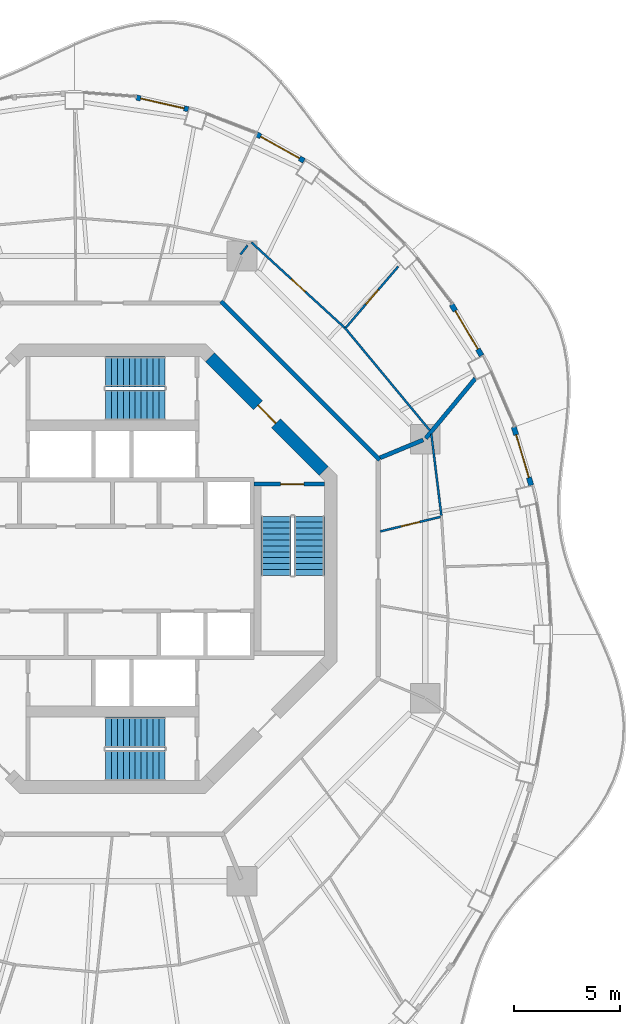
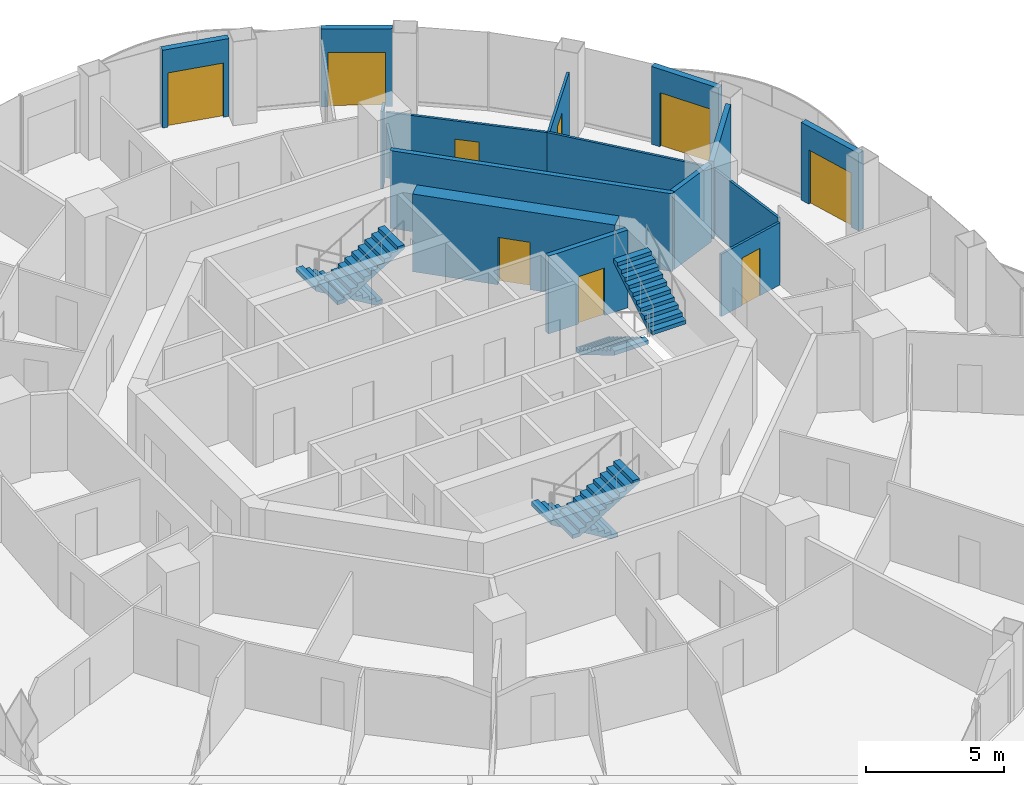
# One storey, part 14 of 17: 15 walls, 9 doors, 6 stair flights, 9 openings, 3 elements without a shape of their own.
"""IFC4 building model written with IfcOpenShell, lengths in metres."""

from ifc_helpers import new_model, si_unit, direction, frame, frame_2d, origin, place, context, subcontext, project, spatial, polyline, rectangle, outline, extrude, material, layer, layer_set, type_object, element, fill, aggregate, save


model = new_model("IFC4")

# Units and contexts
model_context = context("Model", 3, precision=1e-05, world=origin(), true_north=direction((0.0, 1.0)))
body_context = subcontext(model_context, "Body", "Model", "MODEL_VIEW")
ifc_project = project(units=[si_unit("LENGTHUNIT", "METRE"), si_unit("AREAUNIT", "SQUARE_METRE"), si_unit("VOLUMEUNIT", "CUBIC_METRE"), si_unit("PLANEANGLEUNIT", "RADIAN"), si_unit("MASSUNIT", "GRAM", prefix="KILO")], contexts=[model_context])

# Site, building, storey
site_placement = place(None, origin())
site = spatial("IfcSite", under=ifc_project, at=site_placement, CompositionType="ELEMENT")
building_placement = place(site_placement, origin())
building = spatial("IfcBuilding", under=site, at=building_placement, Name="Nagisa Residences", CompositionType="ELEMENT")
storey_placement = place(building_placement, frame((0.0, 0.0, 269.60009765625)))
storey = spatial("IfcBuildingStorey", under=building, at=storey_placement, Name="L68", CompositionType="ELEMENT", Elevation=269.60009765625)

# Walls
ifc_material_1 = material(Name="Gypsum board on steel studs", Category="steel")
ifc_layer_1 = layer(ifc_material_1, 0.199951171875)
ifc_layer_set_1 = layer_set([ifc_layer_1], Name="Apartment compartment wall EI60 200")
wall_type_1 = type_object("IfcWallType", Name="Apartment compartment wall EI60 200", PredefinedType="PARTITIONING", material=ifc_layer_set_1)
wall_1_placement = place(storey_placement, frame((12.6572265625, 5.24267578125, 0.0), z_axis=(0.0, 0.0, 1.0), x_axis=(0.923853160736, 0.382747093259, 0.0)))
element("IfcWall", 1, at=wall_1_placement, inside=storey, type_object=wall_type_1, Name="wall:L68:u00", PredefinedType="PARTITIONING", context=body_context, shape_type="SweptSolid", body=[
    extrude(rectangle(XDim=2.199951171875, YDim=0.199951171875, at=frame_2d((1.10009765625, 0.0))), origin(), (0.0, 0.0, 1.0), 3.43994140625),
])
wall_2_placement = place(storey_placement, frame((14.81396484375, 6.161376953125, 0.0), z_axis=(0.0, 0.0, 1.0), x_axis=(0.638050520313, 0.769994502272, 0.0)))
element("IfcWall", 2, at=wall_2_placement, inside=storey, type_object=wall_type_1, Name="wall:L68:u01", PredefinedType="PARTITIONING", context=body_context, shape_type="SweptSolid", body=[
    extrude(rectangle(XDim=3.6728515625, YDim=0.199951171875, at=frame_2d((1.83642578125, 0.0))), origin(), (0.0, 0.0, 1.0), 3.43994140625),
])
ifc_material_2 = material(Name="Gypsum board on steel studs", Category="steel")
ifc_layer_2 = layer(ifc_material_2, 0.199951171875)
ifc_layer_set_2 = layer_set([ifc_layer_2], Name="Apartment entry wall EI60 200")
wall_type_2 = type_object("IfcWallType", Name="Apartment entry wall EI60 200", PredefinedType="PARTITIONING", material=ifc_layer_set_2)
wall_3_placement = place(storey_placement, frame((12.635498046875, 5.1337890625, 0.0), z_axis=(0.0, 0.0, 1.0), x_axis=(-0.707106781187, 0.707106781187, 0.0)))
element("IfcWall", 3, at=wall_3_placement, inside=storey, type_object=wall_type_2, Name="wall:L68:u11", PredefinedType="PARTITIONING", context=body_context, shape_type="SweptSolid", body=[
    extrude(rectangle(XDim=10.609130859375, YDim=0.199951171875, at=frame_2d((5.3046875, 0.0))), origin(), (0.0, 0.0, 1.0), 3.43994140625),
])

# Wall, opening, door
ifc_material_3 = material(Name="Gypsum board on steel studs", Category="steel")
ifc_layer_3 = layer(ifc_material_3, 0.10009765625)
ifc_layer_set_3 = layer_set([ifc_layer_3], Name="Apartment partition 100")
wall_type_3 = type_object("IfcWallType", Name="Apartment partition 100", PredefinedType="PARTITIONING", material=ifc_layer_set_3)
wall_4_placement = place(storey_placement, frame((12.661865234375, 1.75830078125, 0.0), z_axis=(0.0, 0.0, 1.0), x_axis=(0.972004827836, 0.234960879007, 0.0)))
wall_4 = element("IfcWall", 4, at=wall_4_placement, inside=storey, type_object=wall_type_3, Name="wall:L68:u22", PredefinedType="PARTITIONING", context=body_context, shape_type="SweptSolid", body=[
    extrude(rectangle(XDim=2.93017578125, YDim=0.10009765625, at=frame_2d((1.465087890625, 0.0))), origin(), (0.0, 0.0, 1.0), 2.761962890625),
])
opening_1_placement = place(wall_4_placement, frame((1.014892578125, 0.0, 0.0)))
opening_1 = element("IfcOpeningElement", 5, at=opening_1_placement, cuts=wall_4, Name="Opening L68-U33", PredefinedType="OPENING", context=body_context, shape_type="SweptSolid", body=[
    extrude(rectangle(XDim=0.89990234375, YDim=2.10009765625, at=frame_2d((0.449951171875, 1.050048828125))), frame((0.0, 0.06005859375, 0.0), z_axis=(0.0, -1.0, 0.0), x_axis=(1.0, 0.0, 0.0)), (0.0, 0.0, 1.0), 0.1201171875),
])
ifc_material_4 = material(Name="Timber door set", Category="wood")
door_type_1 = type_object("IfcDoorType", Name="Apartment door 900x2100", OperationType="NOTDEFINED", PredefinedType="DOOR", material=ifc_material_4)
door_1_placement = place(opening_1_placement, origin())
door_1 = element("IfcDoor", 6, at=door_1_placement, inside=storey, type_object=door_type_1, Name="Door to laundry, Apartment 68E", OperationType="SINGLE_SWING_LEFT", OverallHeight=2.10009765625, OverallWidth=0.89990234375, PredefinedType="DOOR", context=body_context, shape_type="SweptSolid", body=[
    extrude(rectangle(XDim=0.89990234375, YDim=2.10009765625, at=frame_2d((0.449951171875, 1.050048828125))), frame((0.0, 0.02490234375, 0.0), z_axis=(0.0, -1.0, 0.0), x_axis=(1.0, 0.0, 0.0)), (0.0, 0.0, 1.0), 0.050048828125),
])
fill(opening_1, door_1)

# Walls
wall_5_placement = place(storey_placement, frame((15.552490234375, 2.50830078125, 0.0), z_axis=(0.0, 0.0, 1.0), x_axis=(-0.12196293976, 0.992534654974, 0.0)))
element("IfcWall", 7, at=wall_5_placement, inside=storey, type_object=wall_type_3, Name="wall:L68:u23", PredefinedType="PARTITIONING", context=body_context, shape_type="SweptSolid", body=[
    extrude(rectangle(XDim=3.887451171875, YDim=0.10009765625, at=frame_2d((1.94384765625, 0.0))), origin(), (0.0, 0.0, 1.0), 2.90478515625),
])
wall_6_placement = place(storey_placement, frame((15.00244140625, 6.54296875, 0.0), z_axis=(0.0, 0.0, 1.0), x_axis=(-0.637932656528, 0.770092154054, 0.0)))
element("IfcWall", 8, at=wall_6_placement, inside=storey, type_object=wall_type_3, Name="wall:L68:u24", PredefinedType="PARTITIONING", context=body_context, shape_type="SweptSolid", body=[
    extrude(rectangle(XDim=6.310546875, YDim=0.10009765625, at=frame_2d((3.1552734375, 0.0))), origin(), (0.0, 0.0, 1.0), 2.90478515625),
])

# Wall, opening, door
wall_7_placement = place(storey_placement, frame((11.041259765625, 11.402099609375, 0.0), z_axis=(0.0, 0.0, 1.0), x_axis=(0.650558544325, 0.759456108282, 0.0)))
wall_7 = element("IfcWall", 9, at=wall_7_placement, inside=storey, type_object=wall_type_3, Name="wall:L68:u25", PredefinedType="PARTITIONING", context=body_context, shape_type="SweptSolid", body=[
    extrude(rectangle(XDim=3.800048828125, YDim=0.10009765625, at=frame_2d((1.89990234375, 0.0))), origin(), (0.0, 0.0, 1.0), 2.90478515625),
])
opening_2_placement = place(wall_7_placement, frame((1.4501953125, 0.0, 0.0)))
opening_2 = element("IfcOpeningElement", 10, at=opening_2_placement, cuts=wall_7, Name="Opening L68-U08", PredefinedType="OPENING", context=body_context, shape_type="SweptSolid", body=[
    extrude(rectangle(XDim=0.89990234375, YDim=2.10009765625, at=frame_2d((0.449951171875, 1.050048828125))), frame((0.0, 0.06005859375, 0.0), z_axis=(0.0, -1.0, 0.0), x_axis=(1.0, 0.0, 0.0)), (0.0, 0.0, 1.0), 0.1201171875),
])
door_2_placement = place(opening_2_placement, frame((0.89990234375, 0.0, 0.0), x_axis=(-1.0, 0.0, 0.0)))
door_2 = element("IfcDoor", 11, at=door_2_placement, inside=storey, type_object=door_type_1, Name="Door to bedroom, Apartment 68A", OperationType="SINGLE_SWING_LEFT", OverallHeight=2.10009765625, OverallWidth=0.89990234375, PredefinedType="DOOR", context=body_context, shape_type="SweptSolid", body=[
    extrude(rectangle(XDim=0.89990234375, YDim=2.10009765625, at=frame_2d((0.449951171875, 1.050048828125))), frame((0.0, 0.02490234375, 0.0), z_axis=(0.0, -1.0, 0.0), x_axis=(1.0, 0.0, 0.0)), (0.0, 0.0, 1.0), 0.050048828125),
])
fill(opening_2, door_2)

wall_8_placement = place(storey_placement, frame((10.9716796875, 11.397705078125, 0.0), z_axis=(0.0, 0.0, 1.0), x_axis=(-0.737838738013, 0.674977034193, 0.0)))
wall_8 = element("IfcWall", 12, at=wall_8_placement, inside=storey, type_object=wall_type_3, Name="wall:L68:u26", PredefinedType="PARTITIONING", context=body_context, shape_type="SweptSolid", body=[
    extrude(rectangle(XDim=5.97705078125, YDim=0.10009765625, at=frame_2d((2.988525390625, 0.0))), origin(), (0.0, 0.0, 1.0), 2.90478515625),
])
opening_3_placement = place(wall_8_placement, frame((2.513671875, 0.0, 0.0)))
opening_3 = element("IfcOpeningElement", 13, at=opening_3_placement, cuts=wall_8, Name="Opening L68-U07", PredefinedType="OPENING", context=body_context, shape_type="SweptSolid", body=[
    extrude(rectangle(XDim=0.89990234375, YDim=2.10009765625, at=frame_2d((0.449951171875, 1.050048828125))), frame((0.0, 0.06005859375, 0.0), z_axis=(0.0, -1.0, 0.0), x_axis=(1.0, 0.0, 0.0)), (0.0, 0.0, 1.0), 0.1201171875),
])
door_3_placement = place(opening_3_placement, origin())
door_3 = element("IfcDoor", 14, at=door_3_placement, inside=storey, type_object=door_type_1, Name="Door to store, Apartment 68A", OperationType="SINGLE_SWING_LEFT", OverallHeight=2.10009765625, OverallWidth=0.89990234375, PredefinedType="DOOR", context=body_context, shape_type="SweptSolid", body=[
    extrude(rectangle(XDim=0.89990234375, YDim=2.10009765625, at=frame_2d((0.449951171875, 1.050048828125))), frame((0.0, 0.02490234375, 0.0), z_axis=(0.0, -1.0, 0.0), x_axis=(1.0, 0.0, 0.0)), (0.0, 0.0, 1.0), 0.050048828125),
])
fill(opening_3, door_3)

# Wall
wall_9_placement = place(storey_placement, frame((6.38818359375, 15.289794921875, 0.0), z_axis=(0.0, 0.0, 1.0), x_axis=(-0.610612392422, -0.791929609385, 0.0)))
element("IfcWall", 15, at=wall_9_placement, inside=storey, type_object=wall_type_3, Name="wall:L68:u67", PredefinedType="PARTITIONING", context=body_context, shape_type="SweptSolid", body=[
    extrude(rectangle(XDim=0.54931640625, YDim=0.10009765625, at=frame_2d((0.274658203125, 0.0))), origin(), (0.0, 0.0, 1.0), 3.43994140625),
])

# Wall, opening, door
ifc_material_5 = material(Name="Precast concrete C40/50", Category="concrete")
ifc_layer_4 = layer(ifc_material_5, 0.25)
ifc_layer_set_4 = layer_set([ifc_layer_4], Name="BALCONY DOOR WALL 250")
wall_type_4 = type_object("IfcWallType", Name="BALCONY DOOR WALL 250", PredefinedType="SOLIDWALL", material=ifc_layer_set_4)
wall_10_placement = place(storey_placement, frame((18.978271484375, 6.69677734375, 0.0), z_axis=(0.0, 0.0, 1.0), x_axis=(0.285876209024, -0.9582665564, 0.0)))
wall_10 = element("IfcWall", 16, at=wall_10_placement, inside=storey, type_object=wall_type_4, Name="wall:L68:bay02", PredefinedType="SOLIDWALL", context=body_context, shape_type="SweptSolid", body=[
    extrude(rectangle(XDim=2.877197265625, YDim=0.25, at=frame_2d((1.4384765625, 0.0))), origin(), (0.0, 0.0, 1.0), 3.43994140625),
])
opening_4_placement = place(wall_10_placement, frame((0.388671875, 0.0, 0.0)))
opening_4 = element("IfcOpeningElement", 17, at=opening_4_placement, cuts=wall_10, Name="Opening BD-L68-01", PredefinedType="OPENING", context=body_context, shape_type="SweptSolid", body=[
    extrude(rectangle(XDim=2.10009765625, YDim=2.39990234375, at=frame_2d((1.050048828125, 1.199951171875))), frame((0.0, 0.135009765625, 0.0), z_axis=(0.0, -1.0, 0.0), x_axis=(1.0, 0.0, 0.0)), (0.0, 0.0, 1.0), 0.27001953125),
])
ifc_material_6 = material(Name="Aluminium and clear glass", Category="aluminium")
door_type_2 = type_object("IfcDoorType", Name="BALCONY SLIDING DOOR 2100x2400", OperationType="SLIDING_TO_LEFT", PredefinedType="DOOR", material=ifc_material_6)
door_4_placement = place(opening_4_placement, origin())
door_4 = element("IfcDoor", 18, at=door_4_placement, inside=storey, type_object=door_type_2, Name="door:L68:bay02", OperationType="SLIDING_TO_LEFT", OverallHeight=2.39990234375, OverallWidth=2.10009765625, PredefinedType="DOOR", context=body_context, shape_type="SweptSolid", body=[
    extrude(rectangle(XDim=2.10009765625, YDim=2.39990234375, at=frame_2d((1.050048828125, 1.199951171875))), frame((0.0, 0.02490234375, 0.0), z_axis=(0.0, -1.0, 0.0), x_axis=(1.0, 0.0, 0.0)), (0.0, 0.0, 1.0), 0.050048828125),
])
fill(opening_4, door_4)

wall_11_placement = place(storey_placement, frame((16.037841796875, 12.488525390625, 0.0), z_axis=(0.0, 0.0, 1.0), x_axis=(0.506371364425, -0.862315511452, 0.0)))
wall_11 = element("IfcWall", 19, at=wall_11_placement, inside=storey, type_object=wall_type_4, Name="wall:L68:bay04", PredefinedType="SOLIDWALL", context=body_context, shape_type="SweptSolid", body=[
    extrude(rectangle(XDim=2.79638671875, YDim=0.25, at=frame_2d((1.398193359375, 0.0))), origin(), (0.0, 0.0, 1.0), 3.43994140625),
])
opening_5_placement = place(wall_11_placement, frame((0.34814453125, 0.0, 0.0)))
opening_5 = element("IfcOpeningElement", 20, at=opening_5_placement, cuts=wall_11, Name="Opening BD-L68-02", PredefinedType="OPENING", context=body_context, shape_type="SweptSolid", body=[
    extrude(rectangle(XDim=2.10009765625, YDim=2.39990234375, at=frame_2d((1.050048828125, 1.199951171875))), frame((0.0, 0.135009765625, 0.0), z_axis=(0.0, -1.0, 0.0), x_axis=(1.0, 0.0, 0.0)), (0.0, 0.0, 1.0), 0.27001953125),
])
door_5_placement = place(opening_5_placement, origin())
door_5 = element("IfcDoor", 21, at=door_5_placement, inside=storey, type_object=door_type_2, Name="door:L68:bay04", OperationType="SLIDING_TO_LEFT", OverallHeight=2.39990234375, OverallWidth=2.10009765625, PredefinedType="DOOR", context=body_context, shape_type="SweptSolid", body=[
    extrude(rectangle(XDim=2.10009765625, YDim=2.39990234375, at=frame_2d((1.050048828125, 1.199951171875))), frame((0.0, 0.02490234375, 0.0), z_axis=(0.0, -1.0, 0.0), x_axis=(1.0, 0.0, 0.0)), (0.0, 0.0, 1.0), 0.050048828125),
])
fill(opening_5, door_5)

wall_12_placement = place(storey_placement, frame((6.795166015625, 20.553955078125, 0.0), z_axis=(0.0, 0.0, 1.0), x_axis=(0.872052877201, -0.489411666561, 0.0)))
wall_12 = element("IfcWall", 22, at=wall_12_placement, inside=storey, type_object=wall_type_4, Name="wall:L68:bay08", PredefinedType="SOLIDWALL", context=body_context, shape_type="SweptSolid", body=[
    extrude(rectangle(XDim=2.593017578125, YDim=0.25, at=frame_2d((1.29638671875, 0.0))), origin(), (0.0, 0.0, 1.0), 3.43994140625),
])
opening_6_placement = place(wall_12_placement, frame((0.24658203125, 0.0, 0.0)))
opening_6 = element("IfcOpeningElement", 23, at=opening_6_placement, cuts=wall_12, Name="Opening BD-L68-03", PredefinedType="OPENING", context=body_context, shape_type="SweptSolid", body=[
    extrude(rectangle(XDim=2.10009765625, YDim=2.39990234375, at=frame_2d((1.050048828125, 1.199951171875))), frame((0.0, 0.135009765625, 0.0), z_axis=(0.0, -1.0, 0.0), x_axis=(1.0, 0.0, 0.0)), (0.0, 0.0, 1.0), 0.27001953125),
])
door_6_placement = place(opening_6_placement, origin())
door_6 = element("IfcDoor", 24, at=door_6_placement, inside=storey, type_object=door_type_2, Name="door:L68:bay08", OperationType="SLIDING_TO_LEFT", OverallHeight=2.39990234375, OverallWidth=2.10009765625, PredefinedType="DOOR", context=body_context, shape_type="SweptSolid", body=[
    extrude(rectangle(XDim=2.10009765625, YDim=2.39990234375, at=frame_2d((1.050048828125, 1.199951171875))), frame((0.0, 0.02490234375, 0.0), z_axis=(0.0, -1.0, 0.0), x_axis=(1.0, 0.0, 0.0)), (0.0, 0.0, 1.0), 0.050048828125),
])
fill(opening_6, door_6)

wall_13_placement = place(storey_placement, frame((1.125, 22.2802734375, 0.0), z_axis=(0.0, 0.0, 1.0), x_axis=(0.97531487046, -0.22081871175, 0.0)))
wall_13 = element("IfcWall", 25, at=wall_13_placement, inside=storey, type_object=wall_type_4, Name="wall:L68:bay10", PredefinedType="SOLIDWALL", context=body_context, shape_type="SweptSolid", body=[
    extrude(rectangle(XDim=2.525146484375, YDim=0.25, at=frame_2d((1.2626953125, 0.0))), origin(), (0.0, 0.0, 1.0), 3.43994140625),
])
opening_7_placement = place(wall_13_placement, frame((0.212646484375, 0.0, 0.0)))
opening_7 = element("IfcOpeningElement", 26, at=opening_7_placement, cuts=wall_13, Name="Opening BD-L68-04", PredefinedType="OPENING", context=body_context, shape_type="SweptSolid", body=[
    extrude(rectangle(XDim=2.10009765625, YDim=2.39990234375, at=frame_2d((1.050048828125, 1.199951171875))), frame((0.0, 0.135009765625, 0.0), z_axis=(0.0, -1.0, 0.0), x_axis=(1.0, 0.0, 0.0)), (0.0, 0.0, 1.0), 0.27001953125),
])
door_7_placement = place(opening_7_placement, origin())
door_7 = element("IfcDoor", 27, at=door_7_placement, inside=storey, type_object=door_type_2, Name="door:L68:bay10", OperationType="SLIDING_TO_LEFT", OverallHeight=2.39990234375, OverallWidth=2.10009765625, PredefinedType="DOOR", context=body_context, shape_type="SweptSolid", body=[
    extrude(rectangle(XDim=2.10009765625, YDim=2.39990234375, at=frame_2d((1.050048828125, 1.199951171875))), frame((0.0, 0.02490234375, 0.0), z_axis=(0.0, -1.0, 0.0), x_axis=(1.0, 0.0, 0.0)), (0.0, 0.0, 1.0), 0.050048828125),
])
fill(opening_7, door_7)

ifc_material_7 = material(Name="Concrete C60", Category="concrete")
ifc_layer_5 = layer(ifc_material_7, 0.60009765625)
ifc_layer_set_5 = layer_set([ifc_layer_5], Name="Core shear wall 600")
wall_type_5 = type_object("IfcWallType", Name="Core shear wall 600", PredefinedType="SHEAR", material=ifc_layer_set_5)
wall_14_placement = place(storey_placement, frame((9.98828125, 4.613037109375, 0.0), z_axis=(0.0, 0.0, 1.0), x_axis=(-0.707106781187, 0.707106781187, 0.0)))
wall_14 = element("IfcWall", 28, at=wall_14_placement, inside=storey, type_object=wall_type_5, Name="wall:L68:core:flat1", PredefinedType="SHEAR", context=body_context, shape_type="SweptSolid", body=[
    extrude(rectangle(XDim=7.601806640625, YDim=0.60009765625, at=frame_2d((3.80078125, 0.0))), origin(), (0.0, 0.0, 1.0), 3.43994140625),
])
opening_8_placement = place(wall_14_placement, frame((3.200927734375, 0.0, 0.0)))
opening_8 = element("IfcOpeningElement", 29, at=opening_8_placement, cuts=wall_14, Name="Opening L68-C21", PredefinedType="OPENING", context=body_context, shape_type="SweptSolid", body=[
    extrude(rectangle(XDim=1.199951171875, YDim=2.10009765625, at=frame_2d((0.60009765625, 1.050048828125))), frame((0.0, 0.31005859375, 0.0), z_axis=(0.0, -1.0, 0.0), x_axis=(1.0, 0.0, 0.0)), (0.0, 0.0, 1.0), 0.6201171875),
])
ifc_material_8 = material(Name="Steel fire door", Category="steel")
door_type_3 = type_object("IfcDoorType", Name="Fire door EI60 1200x2100 single swing", OperationType="NOTDEFINED", PredefinedType="DOOR", material=ifc_material_8)
door_8_placement = place(opening_8_placement, origin())
door_8 = element("IfcDoor", 30, at=door_8_placement, inside=storey, type_object=door_type_3, Name="Firefighting lobby 1 door L68", OperationType="SINGLE_SWING_RIGHT", OverallHeight=2.10009765625, OverallWidth=1.199951171875, PredefinedType="DOOR", context=body_context, shape_type="SweptSolid", body=[
    extrude(rectangle(XDim=1.199951171875, YDim=2.10009765625, at=frame_2d((0.60009765625, 1.050048828125))), frame((0.0, 0.02490234375, 0.0), z_axis=(0.0, -1.0, 0.0), x_axis=(1.0, 0.0, 0.0)), (0.0, 0.0, 1.0), 0.050048828125),
])
fill(opening_8, door_8)

ifc_material_9 = material(Name="Concrete C60", Category="concrete")
ifc_layer_6 = layer(ifc_material_9, 0.199951171875)
ifc_layer_set_6 = layer_set([ifc_layer_6], Name="Stair enclosure wall 200")
wall_type_6 = type_object("IfcWallType", Name="Stair enclosure wall 200", PredefinedType="SOLIDWALL", material=ifc_layer_set_6)
wall_15_placement = place(storey_placement, frame((6.699951171875, 4.0, 0.0), z_axis=(0.0, 0.0, 1.0), x_axis=(1.0, 0.0, 0.0)))
wall_15 = element("IfcWall", 31, at=wall_15_placement, inside=storey, type_object=wall_type_6, Name="wall:L68:SE_n", PredefinedType="SOLIDWALL", context=body_context, shape_type="SweptSolid", body=[
    extrude(rectangle(XDim=3.32470703125, YDim=0.199951171875, at=frame_2d((1.662353515625, 0.0))), origin(), (0.0, 0.0, 1.0), 3.43994140625),
])
opening_9_placement = place(wall_15_placement, frame((1.25, 0.0, 0.0)))
opening_9 = element("IfcOpeningElement", 32, at=opening_9_placement, cuts=wall_15, Name="Opening L68-C07", PredefinedType="OPENING", context=body_context, shape_type="SweptSolid", body=[
    extrude(rectangle(XDim=1.10009765625, YDim=2.10009765625, at=frame_2d((0.550048828125, 1.050048828125))), frame((0.0, 0.10986328125, 0.0), z_axis=(0.0, -1.0, 0.0), x_axis=(1.0, 0.0, 0.0)), (0.0, 0.0, 1.0), 0.219970703125),
])
ifc_material_10 = material(Name="Steel fire door", Category="steel")
door_type_4 = type_object("IfcDoorType", Name="Fire door EI90 1100x2100 single swing", OperationType="NOTDEFINED", PredefinedType="DOOR", material=ifc_material_10)
door_9_placement = place(opening_9_placement, frame((1.10009765625, 0.0, 0.0), x_axis=(-1.0, 0.0, 0.0)))
door_9 = element("IfcDoor", 33, at=door_9_placement, inside=storey, type_object=door_type_4, Name="Stair door ST-E L68", OperationType="SINGLE_SWING_LEFT", OverallHeight=2.10009765625, OverallWidth=1.10009765625, PredefinedType="DOOR", context=body_context, shape_type="SweptSolid", body=[
    extrude(rectangle(XDim=1.10009765625, YDim=2.10009765625, at=frame_2d((0.550048828125, 1.050048828125))), frame((0.0, 0.02490234375, 0.0), z_axis=(0.0, -1.0, 0.0), x_axis=(1.0, 0.0, 0.0)), (0.0, 0.0, 1.0), 0.050048828125),
])
fill(opening_9, door_9)

# Stair, stair flights
ifc_material_11 = material(Name="Concrete C60", Category="concrete")
stair_type = type_object("IfcStairType", Name="Exit stair", PredefinedType="HALF_TURN_STAIR", material=ifc_material_11)
stair_1_placement = place(storey_placement, origin())
stair_1 = element("IfcStair", 34, at=stair_1_placement, inside=storey, type_object=stair_type, Name="L68 Exit stair E", PredefinedType="HALF_TURN_STAIR")
ifc_material_12 = material(Name="Concrete C60", Category="concrete")
stair_flight_type = type_object("IfcStairFlightType", Name="Exit stair flight", PredefinedType="STRAIGHT", material=ifc_material_12)
stair_flight_1_placement = place(storey_placement, frame((7.737060546875, 2.47509765625, 0.0), z_axis=(0.0, 0.0, 1.0), x_axis=(0.0, -1.0, 0.0)))
stair_flight_1 = element("IfcStairFlight", 35, at=stair_flight_1_placement, type_object=stair_flight_type, Name="ST-E flight 1", NumberOfRisers=11, NumberOfTreads=10, PredefinedType="STRAIGHT", RiserHeight=0.168181818, TreadLength=0.28, context=body_context, shape_type="SweptSolid", body=[
    extrude(outline(polyline([(0.0, 0.0), (0.0, 0.168212890625), (0.280029296875, 0.168212890625), (0.280029296875, 0.33642578125), (0.56005859375, 0.33642578125), (0.56005859375, 0.504638671875), (0.840087890625, 0.504638671875), (0.840087890625, 0.672607421875), (1.1201171875, 0.672607421875), (1.1201171875, 0.8408203125), (1.39990234375, 0.8408203125), (1.39990234375, 1.009033203125), (1.679931640625, 1.009033203125), (1.679931640625, 1.17724609375), (1.9599609375, 1.17724609375), (1.9599609375, 1.345458984375), (2.239990234375, 1.345458984375), (2.239990234375, 1.513671875), (2.52001953125, 1.513671875), (2.52001953125, 1.681884765625), (2.800048828125, 1.681884765625), (2.800048828125, 1.85009765625), (2.800048828125, 1.5068359375), (0.291015625, 0.0), (0.0, 0.0)])), frame((0.0, 0.71240234375, 0.0), z_axis=(0.0, -1.0, 0.0), x_axis=(1.0, 0.0, 0.0)), (0.0, 0.0, 1.0), 1.425048828125),
])
stair_flight_2_placement = place(storey_placement, frame((9.31201171875, -0.324951171875, 1.849853515625), z_axis=(0.0, 0.0, 1.0), x_axis=(0.0, 1.0, 0.0)))
stair_flight_2 = element("IfcStairFlight", 36, at=stair_flight_2_placement, type_object=stair_flight_type, Name="ST-E flight 2", NumberOfRisers=11, NumberOfTreads=10, PredefinedType="STRAIGHT", RiserHeight=0.168181818, TreadLength=0.28, context=body_context, shape_type="SweptSolid", body=[
    extrude(outline(polyline([(0.0, 0.0), (0.0, 0.168212890625), (0.280029296875, 0.168212890625), (0.280029296875, 0.33642578125), (0.56005859375, 0.33642578125), (0.56005859375, 0.504638671875), (0.840087890625, 0.504638671875), (0.840087890625, 0.672607421875), (1.1201171875, 0.672607421875), (1.1201171875, 0.8408203125), (1.39990234375, 0.8408203125), (1.39990234375, 1.009033203125), (1.679931640625, 1.009033203125), (1.679931640625, 1.17724609375), (1.9599609375, 1.17724609375), (1.9599609375, 1.345458984375), (2.239990234375, 1.345458984375), (2.239990234375, 1.513671875), (2.52001953125, 1.513671875), (2.52001953125, 1.681884765625), (2.800048828125, 1.681884765625), (2.800048828125, 1.85009765625), (2.800048828125, 1.5068359375), (0.291015625, 0.0), (0.0, 0.0)])), frame((0.0, 0.71240234375, 0.0), z_axis=(0.0, -1.0, 0.0), x_axis=(1.0, 0.0, 0.0)), (0.0, 0.0, 1.0), 1.425048828125),
])
aggregate(stair_1, [stair_flight_1, stair_flight_2])

stair_2_placement = place(storey_placement, origin())
stair_2 = element("IfcStair", 37, at=stair_2_placement, inside=storey, type_object=stair_type, Name="L68 Exit stair N", PredefinedType="HALF_TURN_STAIR")
stair_flight_3_placement = place(storey_placement, frame((2.47509765625, 9.31201171875, 0.0), z_axis=(0.0, 0.0, 1.0), x_axis=(-1.0, 0.0, 0.0)))
stair_flight_3 = element("IfcStairFlight", 38, at=stair_flight_3_placement, type_object=stair_flight_type, Name="ST-N flight 1", NumberOfRisers=11, NumberOfTreads=10, PredefinedType="STRAIGHT", RiserHeight=0.168181818, TreadLength=0.28, context=body_context, shape_type="SweptSolid", body=[
    extrude(outline(polyline([(0.0, 0.0), (0.0, 0.168212890625), (0.280029296875, 0.168212890625), (0.280029296875, 0.33642578125), (0.56005859375, 0.33642578125), (0.56005859375, 0.504638671875), (0.840087890625, 0.504638671875), (0.840087890625, 0.672607421875), (1.1201171875, 0.672607421875), (1.1201171875, 0.8408203125), (1.39990234375, 0.8408203125), (1.39990234375, 1.009033203125), (1.679931640625, 1.009033203125), (1.679931640625, 1.17724609375), (1.9599609375, 1.17724609375), (1.9599609375, 1.345458984375), (2.239990234375, 1.345458984375), (2.239990234375, 1.513671875), (2.52001953125, 1.513671875), (2.52001953125, 1.681884765625), (2.800048828125, 1.681884765625), (2.800048828125, 1.85009765625), (2.800048828125, 1.5068359375), (0.291015625, 0.0), (0.0, 0.0)])), frame((0.0, 0.71240234375, 0.0), z_axis=(0.0, -1.0, 0.0), x_axis=(1.0, 0.0, 0.0)), (0.0, 0.0, 1.0), 1.425048828125),
])
stair_flight_4_placement = place(storey_placement, frame((-0.324951171875, 7.737060546875, 1.849853515625), z_axis=(0.0, 0.0, 1.0), x_axis=(1.0, 0.0, 0.0)))
stair_flight_4 = element("IfcStairFlight", 39, at=stair_flight_4_placement, type_object=stair_flight_type, Name="ST-N flight 2", NumberOfRisers=11, NumberOfTreads=10, PredefinedType="STRAIGHT", RiserHeight=0.168181818, TreadLength=0.28, context=body_context, shape_type="SweptSolid", body=[
    extrude(outline(polyline([(0.0, 0.0), (0.0, 0.168212890625), (0.280029296875, 0.168212890625), (0.280029296875, 0.33642578125), (0.56005859375, 0.33642578125), (0.56005859375, 0.504638671875), (0.840087890625, 0.504638671875), (0.840087890625, 0.672607421875), (1.1201171875, 0.672607421875), (1.1201171875, 0.8408203125), (1.39990234375, 0.8408203125), (1.39990234375, 1.009033203125), (1.679931640625, 1.009033203125), (1.679931640625, 1.17724609375), (1.9599609375, 1.17724609375), (1.9599609375, 1.345458984375), (2.239990234375, 1.345458984375), (2.239990234375, 1.513671875), (2.52001953125, 1.513671875), (2.52001953125, 1.681884765625), (2.800048828125, 1.681884765625), (2.800048828125, 1.85009765625), (2.800048828125, 1.5068359375), (0.291015625, 0.0), (0.0, 0.0)])), frame((0.0, 0.71240234375, 0.0), z_axis=(0.0, -1.0, 0.0), x_axis=(1.0, 0.0, 0.0)), (0.0, 0.0, 1.0), 1.425048828125),
])
aggregate(stair_2, [stair_flight_3, stair_flight_4])

stair_3_placement = place(storey_placement, origin())
stair_3 = element("IfcStair", 40, at=stair_3_placement, inside=storey, type_object=stair_type, Name="L68 Exit stair S", PredefinedType="HALF_TURN_STAIR")
stair_flight_5_placement = place(storey_placement, frame((2.47509765625, -7.737060546875, 0.0), z_axis=(0.0, 0.0, 1.0), x_axis=(-1.0, 0.0, 0.0)))
stair_flight_5 = element("IfcStairFlight", 41, at=stair_flight_5_placement, type_object=stair_flight_type, Name="ST-S flight 1", NumberOfRisers=11, NumberOfTreads=10, PredefinedType="STRAIGHT", RiserHeight=0.168181818, TreadLength=0.28, context=body_context, shape_type="SweptSolid", body=[
    extrude(outline(polyline([(0.0, 0.0), (0.0, 0.168212890625), (0.280029296875, 0.168212890625), (0.280029296875, 0.33642578125), (0.56005859375, 0.33642578125), (0.56005859375, 0.504638671875), (0.840087890625, 0.504638671875), (0.840087890625, 0.672607421875), (1.1201171875, 0.672607421875), (1.1201171875, 0.8408203125), (1.39990234375, 0.8408203125), (1.39990234375, 1.009033203125), (1.679931640625, 1.009033203125), (1.679931640625, 1.17724609375), (1.9599609375, 1.17724609375), (1.9599609375, 1.345458984375), (2.239990234375, 1.345458984375), (2.239990234375, 1.513671875), (2.52001953125, 1.513671875), (2.52001953125, 1.681884765625), (2.800048828125, 1.681884765625), (2.800048828125, 1.85009765625), (2.800048828125, 1.5068359375), (0.291015625, 0.0), (0.0, 0.0)])), frame((0.0, 0.71240234375, 0.0), z_axis=(0.0, -1.0, 0.0), x_axis=(1.0, 0.0, 0.0)), (0.0, 0.0, 1.0), 1.425048828125),
])
stair_flight_6_placement = place(storey_placement, frame((-0.324951171875, -9.31201171875, 1.849853515625), z_axis=(0.0, 0.0, 1.0), x_axis=(1.0, 0.0, 0.0)))
stair_flight_6 = element("IfcStairFlight", 42, at=stair_flight_6_placement, type_object=stair_flight_type, Name="ST-S flight 2", NumberOfRisers=11, NumberOfTreads=10, PredefinedType="STRAIGHT", RiserHeight=0.168181818, TreadLength=0.28, context=body_context, shape_type="SweptSolid", body=[
    extrude(outline(polyline([(0.0, 0.0), (0.0, 0.168212890625), (0.280029296875, 0.168212890625), (0.280029296875, 0.33642578125), (0.56005859375, 0.33642578125), (0.56005859375, 0.504638671875), (0.840087890625, 0.504638671875), (0.840087890625, 0.672607421875), (1.1201171875, 0.672607421875), (1.1201171875, 0.8408203125), (1.39990234375, 0.8408203125), (1.39990234375, 1.009033203125), (1.679931640625, 1.009033203125), (1.679931640625, 1.17724609375), (1.9599609375, 1.17724609375), (1.9599609375, 1.345458984375), (2.239990234375, 1.345458984375), (2.239990234375, 1.513671875), (2.52001953125, 1.513671875), (2.52001953125, 1.681884765625), (2.800048828125, 1.681884765625), (2.800048828125, 1.85009765625), (2.800048828125, 1.5068359375), (0.291015625, 0.0), (0.0, 0.0)])), frame((0.0, 0.71240234375, 0.0), z_axis=(0.0, -1.0, 0.0), x_axis=(1.0, 0.0, 0.0)), (0.0, 0.0, 1.0), 1.425048828125),
])
aggregate(stair_3, [stair_flight_5, stair_flight_6])

save(model, "model.ifc")
